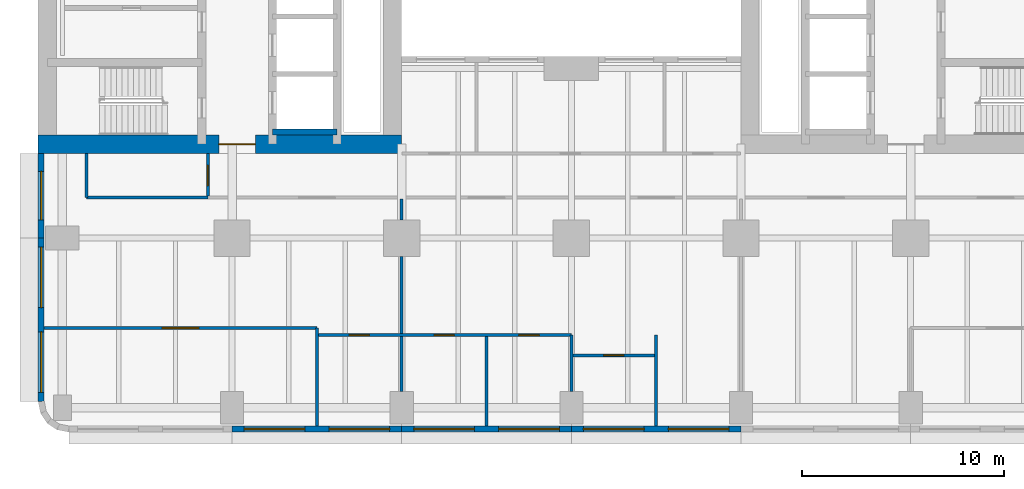
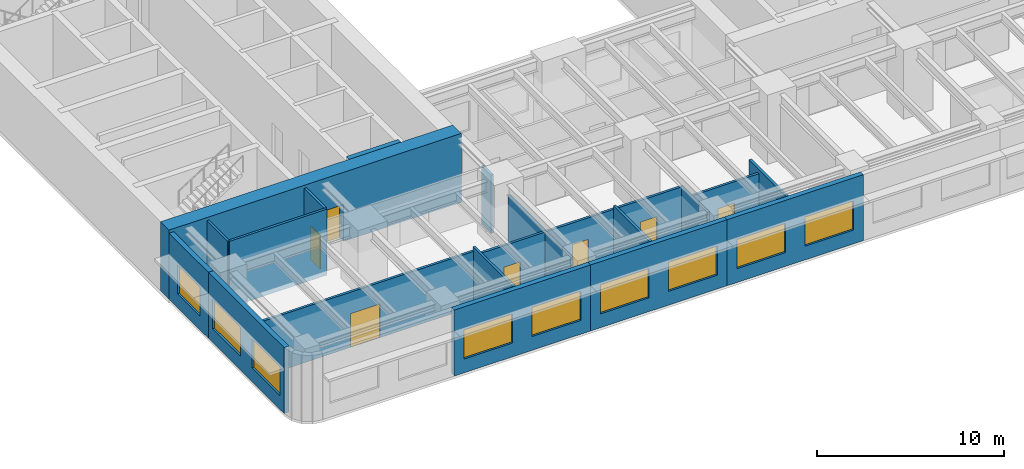
# One storey, part 3 of 13: 20 walls, 9 windows, 7 doors, 16 openings.
"""IFC4 building model written with IfcOpenShell, lengths in metres."""

from ifc_helpers import new_model, si_unit, direction, frame, frame_2d, origin, place, context, subcontext, project, spatial, rectangle, extrude, material, layer, layer_set, type_object, element, fill, save


model = new_model("IFC4")

# Units and contexts
model_context = context("Model", 3, precision=1e-05, world=origin(), true_north=direction((0.0, 1.0)))
body_context = subcontext(model_context, "Body", "Model", "MODEL_VIEW")
ifc_project = project(units=[si_unit("LENGTHUNIT", "METRE"), si_unit("AREAUNIT", "SQUARE_METRE"), si_unit("VOLUMEUNIT", "CUBIC_METRE"), si_unit("PLANEANGLEUNIT", "RADIAN"), si_unit("MASSUNIT", "GRAM", prefix="KILO")], contexts=[model_context])

# Site, building, storey
site_placement = place(None, origin())
site = spatial("IfcSite", under=ifc_project, at=site_placement, CompositionType="ELEMENT")
building_placement = place(site_placement, origin())
building = spatial("IfcBuilding", under=site, at=building_placement, Name="Claustro Exchange Tower", CompositionType="ELEMENT")
storey_placement = place(building_placement, frame((0.0, 0.0, 86.39990234375)))
storey = spatial("IfcBuildingStorey", under=building, at=storey_placement, Name="L19", CompositionType="ELEMENT", Elevation=86.39990234375)

# Wall, opening, door
ifc_material_1 = material(Name="Gypsum board on steel studs", Category="steel")
ifc_layer_1 = layer(ifc_material_1, 0.14990234375)
ifc_layer_set_1 = layer_set([ifc_layer_1], Name="Gypsum board on steel studs")
wall_type_1 = type_object("IfcWallType", Name="P1 150 plasterboard partition", PredefinedType="PARTITIONING", material=ifc_layer_set_1)
wall_1_placement = place(storey_placement, frame((-0.902099609375, 3.949951171875, 0.0), z_axis=(0.0, 0.0, 1.0), x_axis=(1.0, 0.0, 0.0)))
wall_1 = element("IfcWall", 1, at=wall_1_placement, inside=storey, type_object=wall_type_1, Name="Partition P1 L19", PredefinedType="PARTITIONING", context=body_context, shape_type="SweptSolid", body=[
    extrude(rectangle(XDim=13.502197265625, YDim=0.14990234375, at=frame_2d((6.7509765625, 0.0))), origin(), (0.0, 0.0, 1.0), 3.60009765625),
])
opening_1_placement = place(wall_1_placement, frame((5.85205078125, 0.0, 0.0)))
opening_1 = element("IfcOpeningElement", 2, at=opening_1_placement, cuts=wall_1, Name="Opening D2", PredefinedType="OPENING", context=body_context, shape_type="SweptSolid", body=[
    extrude(rectangle(XDim=1.800048828125, YDim=2.199951171875, at=frame_2d((0.89990234375, 1.10009765625))), frame((0.0, 0.0849609375, 0.0), z_axis=(0.0, -1.0, 0.0), x_axis=(1.0, 0.0, 0.0)), (0.0, 0.0, 1.0), 0.169921875),
])
ifc_material_2 = material(Name="Timber door, oak veneer", Category="wood")
door_type_1 = type_object("IfcDoorType", Name="D2 1800 x 2200 double door", OperationType="DOUBLE_DOOR_SINGLE_SWING", PredefinedType="DOOR", material=ifc_material_2)
door_1_placement = place(opening_1_placement, frame((1.800048828125, 0.0, 0.0), z_axis=(0.0, 0.0, 1.0), x_axis=(-1.0, 0.0, 0.0)))
door_1 = element("IfcDoor", 3, at=door_1_placement, inside=storey, type_object=door_type_1, Name="Double door D2 L19", OperationType="DOUBLE_DOOR_SINGLE_SWING", OverallHeight=2.199951171875, OverallWidth=1.800048828125, PredefinedType="DOOR", context=body_context, shape_type="SweptSolid", body=[
    extrude(rectangle(XDim=1.800048828125, YDim=2.199951171875, at=frame_2d((0.89990234375, 1.10009765625))), frame((0.0, 0.02490234375, 0.0), z_axis=(0.0, -1.0, 0.0), x_axis=(1.0, 0.0, 0.0)), (0.0, 0.0, 1.0), 0.050048828125),
])
fill(opening_1, door_1)

wall_2_placement = place(storey_placement, frame((25.27392578125, 2.60009765625, 0.0), z_axis=(0.0, 0.0, 1.0), x_axis=(1.0, 0.0, 0.0)))
wall_2 = element("IfcWall", 4, at=wall_2_placement, inside=storey, type_object=wall_type_1, Name="Partition P1 L19", PredefinedType="PARTITIONING", context=body_context, shape_type="SweptSolid", body=[
    extrude(rectangle(XDim=4.052001953125, YDim=0.14990234375, at=frame_2d((2.02587890625, 0.0))), origin(), (0.0, 0.0, 1.0), 3.60009765625),
])
opening_2_placement = place(wall_2_placement, frame((1.52587890625, 0.0, 0.0)))
opening_2 = element("IfcOpeningElement", 5, at=opening_2_placement, cuts=wall_2, Name="Opening D1", PredefinedType="OPENING", context=body_context, shape_type="SweptSolid", body=[
    extrude(rectangle(XDim=1.0, YDim=2.199951171875, at=frame_2d((0.5, 1.10009765625))), frame((0.0, 0.0849609375, 0.0), z_axis=(0.0, -1.0, 0.0), x_axis=(1.0, 0.0, 0.0)), (0.0, 0.0, 1.0), 0.169921875),
])
ifc_material_3 = material(Name="Timber door, oak veneer", Category="wood")
door_type_2 = type_object("IfcDoorType", Name="D1 1000 x 2200 single door", OperationType="SINGLE_SWING_LEFT", PredefinedType="DOOR", material=ifc_material_3)
door_2_placement = place(opening_2_placement, frame((1.0, 0.0, 0.0), z_axis=(0.0, 0.0, 1.0), x_axis=(-1.0, 0.0, 0.0)))
door_2 = element("IfcDoor", 6, at=door_2_placement, inside=storey, type_object=door_type_2, Name="Door D1 L19", OperationType="SINGLE_SWING_LEFT", OverallHeight=2.199951171875, OverallWidth=1.0, PredefinedType="DOOR", context=body_context, shape_type="SweptSolid", body=[
    extrude(rectangle(XDim=1.0, YDim=2.199951171875, at=frame_2d((0.5, 1.10009765625))), frame((0.0, 0.02490234375, 0.0), z_axis=(0.0, -1.0, 0.0), x_axis=(1.0, 0.0, 0.0)), (0.0, 0.0, 1.0), 0.050048828125),
])
fill(opening_2, door_2)

# Wall, openings, doors
wall_3_placement = place(storey_placement, frame((12.674072265625, 3.60009765625, 0.0), z_axis=(0.0, 0.0, 1.0), x_axis=(1.0, 0.0, 0.0)))
wall_3 = element("IfcWall", 7, at=wall_3_placement, inside=storey, type_object=wall_type_1, Name="Partition P1 L19", PredefinedType="PARTITIONING", context=body_context, shape_type="SweptSolid", body=[
    extrude(rectangle(XDim=12.52587890625, YDim=0.14990234375, at=frame_2d((6.262939453125, 0.0))), origin(), (0.0, 0.0, 1.0), 3.60009765625),
])
opening_3_placement = place(wall_3_placement, frame((1.52587890625, 0.0, 0.0)))
opening_3 = element("IfcOpeningElement", 8, at=opening_3_placement, cuts=wall_3, Name="Opening D1", PredefinedType="OPENING", context=body_context, shape_type="SweptSolid", body=[
    extrude(rectangle(XDim=1.0, YDim=2.199951171875, at=frame_2d((0.5, 1.10009765625))), frame((0.0, 0.0849609375, 0.0), z_axis=(0.0, -1.0, 0.0), x_axis=(1.0, 0.0, 0.0)), (0.0, 0.0, 1.0), 0.169921875),
])
opening_4_placement = place(wall_3_placement, frame((5.72607421875, 0.0, 0.0)))
opening_4 = element("IfcOpeningElement", 9, at=opening_4_placement, cuts=wall_3, Name="Opening D1", PredefinedType="OPENING", context=body_context, shape_type="SweptSolid", body=[
    extrude(rectangle(XDim=1.0, YDim=2.199951171875, at=frame_2d((0.5, 1.10009765625))), frame((0.0, 0.0849609375, 0.0), z_axis=(0.0, -1.0, 0.0), x_axis=(1.0, 0.0, 0.0)), (0.0, 0.0, 1.0), 0.169921875),
])
opening_5_placement = place(wall_3_placement, frame((9.926025390625, 0.0, 0.0)))
opening_5 = element("IfcOpeningElement", 10, at=opening_5_placement, cuts=wall_3, Name="Opening D1", PredefinedType="OPENING", context=body_context, shape_type="SweptSolid", body=[
    extrude(rectangle(XDim=1.0, YDim=2.199951171875, at=frame_2d((0.5, 1.10009765625))), frame((0.0, 0.0849609375, 0.0), z_axis=(0.0, -1.0, 0.0), x_axis=(1.0, 0.0, 0.0)), (0.0, 0.0, 1.0), 0.169921875),
])
door_3_placement = place(opening_3_placement, frame((1.0, 0.0, 0.0), z_axis=(0.0, 0.0, 1.0), x_axis=(-1.0, 0.0, 0.0)))
door_3 = element("IfcDoor", 11, at=door_3_placement, inside=storey, type_object=door_type_2, Name="Door D1 L19", OperationType="SINGLE_SWING_RIGHT", OverallHeight=2.199951171875, OverallWidth=1.0, PredefinedType="DOOR", context=body_context, shape_type="SweptSolid", body=[
    extrude(rectangle(XDim=1.0, YDim=2.199951171875, at=frame_2d((0.5, 1.10009765625))), frame((0.0, 0.02490234375, 0.0), z_axis=(0.0, -1.0, 0.0), x_axis=(1.0, 0.0, 0.0)), (0.0, 0.0, 1.0), 0.050048828125),
])
fill(opening_3, door_3)
door_4_placement = place(opening_4_placement, frame((1.0, 0.0, 0.0), z_axis=(0.0, 0.0, 1.0), x_axis=(-1.0, 0.0, 0.0)))
door_4 = element("IfcDoor", 12, at=door_4_placement, inside=storey, type_object=door_type_2, Name="Door D1 L19", OperationType="SINGLE_SWING_RIGHT", OverallHeight=2.199951171875, OverallWidth=1.0, PredefinedType="DOOR", context=body_context, shape_type="SweptSolid", body=[
    extrude(rectangle(XDim=1.0, YDim=2.199951171875, at=frame_2d((0.5, 1.10009765625))), frame((0.0, 0.02490234375, 0.0), z_axis=(0.0, -1.0, 0.0), x_axis=(1.0, 0.0, 0.0)), (0.0, 0.0, 1.0), 0.050048828125),
])
fill(opening_4, door_4)
door_5_placement = place(opening_5_placement, frame((1.0, 0.0, 0.0), z_axis=(0.0, 0.0, 1.0), x_axis=(-1.0, 0.0, 0.0)))
door_5 = element("IfcDoor", 13, at=door_5_placement, inside=storey, type_object=door_type_2, Name="Door D1 L19", OperationType="SINGLE_SWING_RIGHT", OverallHeight=2.199951171875, OverallWidth=1.0, PredefinedType="DOOR", context=body_context, shape_type="SweptSolid", body=[
    extrude(rectangle(XDim=1.0, YDim=2.199951171875, at=frame_2d((0.5, 1.10009765625))), frame((0.0, 0.02490234375, 0.0), z_axis=(0.0, -1.0, 0.0), x_axis=(1.0, 0.0, 0.0)), (0.0, 0.0, 1.0), 0.050048828125),
])
fill(opening_5, door_5)

# Walls
wall_4_placement = place(storey_placement, frame((12.60009765625, -0.902099609375, 0.0), z_axis=(0.0, 0.0, 1.0), x_axis=(0.0, 1.0, 0.0)))
element("IfcWall", 14, at=wall_4_placement, inside=storey, type_object=wall_type_1, Name="Partition P1 L19", PredefinedType="PARTITIONING", context=body_context, shape_type="SweptSolid", body=[
    extrude(rectangle(XDim=4.85205078125, YDim=0.14990234375, at=frame_2d((2.426025390625, 0.0))), origin(), (0.0, 0.0, 1.0), 3.85400390625),
])
wall_5_placement = place(storey_placement, frame((16.800048828125, 0.799072265625, 0.0), z_axis=(0.0, 0.0, 1.0), x_axis=(0.0, 1.0, 0.0)))
element("IfcWall", 15, at=wall_5_placement, inside=storey, type_object=wall_type_1, Name="Partition P1 L19", PredefinedType="PARTITIONING", context=body_context, shape_type="SweptSolid", body=[
    extrude(rectangle(XDim=2.726806640625, YDim=0.14990234375, at=frame_2d((1.36328125, 0.0))), origin(), (0.0, 0.0, 1.0), 3.60009765625),
])
wall_6_placement = place(storey_placement, frame((21.0, -0.902099609375, 0.0), z_axis=(0.0, 0.0, 1.0), x_axis=(0.0, 1.0, 0.0)))
element("IfcWall", 16, at=wall_6_placement, inside=storey, type_object=wall_type_1, Name="Partition P1 L19", PredefinedType="PARTITIONING", context=body_context, shape_type="SweptSolid", body=[
    extrude(rectangle(XDim=4.427978515625, YDim=0.14990234375, at=frame_2d((2.2138671875, 0.0))), origin(), (0.0, 0.0, 1.0), 3.85400390625),
])
wall_7_placement = place(storey_placement, frame((25.199951171875, 0.799072265625, 0.0), z_axis=(0.0, 0.0, 1.0), x_axis=(0.0, 1.0, 0.0)))
element("IfcWall", 17, at=wall_7_placement, inside=storey, type_object=wall_type_1, Name="Partition P1 L19", PredefinedType="PARTITIONING", context=body_context, shape_type="SweptSolid", body=[
    extrude(rectangle(XDim=2.801025390625, YDim=0.14990234375, at=frame_2d((1.400390625, 0.0))), origin(), (0.0, 0.0, 1.0), 3.60009765625),
])
wall_8_placement = place(storey_placement, frame((29.39990234375, -0.902099609375, 0.0), z_axis=(0.0, 0.0, 1.0), x_axis=(0.0, 1.0, 0.0)))
element("IfcWall", 18, at=wall_8_placement, inside=storey, type_object=wall_type_1, Name="Partition P1 L19", PredefinedType="PARTITIONING", context=body_context, shape_type="SweptSolid", body=[
    extrude(rectangle(XDim=4.502197265625, YDim=0.14990234375, at=frame_2d((2.2509765625, 0.0))), origin(), (0.0, 0.0, 1.0), 3.85400390625),
])
wall_9_placement = place(storey_placement, frame((16.800048828125, 3.674072265625, 0.0), z_axis=(0.0, 0.0, 1.0), x_axis=(0.0, 1.0, 0.0)))
element("IfcWall", 19, at=wall_9_placement, inside=storey, type_object=wall_type_1, Name="Partition P1 L19", PredefinedType="PARTITIONING", context=body_context, shape_type="SweptSolid", body=[
    extrude(rectangle(XDim=3.826904296875, YDim=0.14990234375, at=frame_2d((1.91357421875, 0.0))), origin(), (0.0, 0.0, 1.0), 3.60009765625),
])
wall_10_placement = place(storey_placement, frame((16.800048828125, 9.299072265625, 0.0), z_axis=(0.0, 0.0, 1.0), x_axis=(0.0, 1.0, 0.0)))
element("IfcWall", 20, at=wall_10_placement, inside=storey, type_object=wall_type_1, Name="Partition P1 L19", PredefinedType="PARTITIONING", context=body_context, shape_type="SweptSolid", body=[
    extrude(rectangle(XDim=1.02685546875, YDim=0.14990234375, at=frame_2d((0.513427734375, 0.0))), origin(), (0.0, 0.0, 1.0), 3.80419921875),
])

# Wall, opening, door
wall_11_placement = place(storey_placement, frame((7.199951171875, 10.47412109375, 0.0), z_axis=(0.0, 0.0, 1.0), x_axis=(0.0, 1.0, 0.0)))
wall_11 = element("IfcWall", 21, at=wall_11_placement, inside=storey, type_object=wall_type_1, Name="Partition P1 L19", PredefinedType="PARTITIONING", context=body_context, shape_type="SweptSolid", body=[
    extrude(rectangle(XDim=2.1279296875, YDim=0.14990234375, at=frame_2d((1.06396484375, 0.0))), origin(), (0.0, 0.0, 1.0), 4.300048828125),
])
opening_6_placement = place(wall_11_placement, frame((0.52587890625, 0.0, 0.0)))
opening_6 = element("IfcOpeningElement", 22, at=opening_6_placement, cuts=wall_11, Name="Opening D1", PredefinedType="OPENING", context=body_context, shape_type="SweptSolid", body=[
    extrude(rectangle(XDim=1.0, YDim=2.199951171875, at=frame_2d((0.5, 1.10009765625))), frame((0.0, 0.0849609375, 0.0), z_axis=(0.0, -1.0, 0.0), x_axis=(1.0, 0.0, 0.0)), (0.0, 0.0, 1.0), 0.169921875),
])
door_6_placement = place(opening_6_placement, origin())
door_6 = element("IfcDoor", 23, at=door_6_placement, inside=storey, type_object=door_type_2, Name="Door D1 L19", OperationType="SINGLE_SWING_RIGHT", OverallHeight=2.199951171875, OverallWidth=1.0, PredefinedType="DOOR", context=body_context, shape_type="SweptSolid", body=[
    extrude(rectangle(XDim=1.0, YDim=2.199951171875, at=frame_2d((0.5, 1.10009765625))), frame((0.0, 0.02490234375, 0.0), z_axis=(0.0, -1.0, 0.0), x_axis=(1.0, 0.0, 0.0)), (0.0, 0.0, 1.0), 0.050048828125),
])
fill(opening_6, door_6)

# Walls
wall_12_placement = place(storey_placement, frame((1.199951171875, 10.39990234375, 0.0), z_axis=(0.0, 0.0, 1.0), x_axis=(1.0, 0.0, 0.0)))
element("IfcWall", 24, at=wall_12_placement, inside=storey, type_object=wall_type_1, Name="Partition P1 L19", PredefinedType="PARTITIONING", context=body_context, shape_type="SweptSolid", body=[
    extrude(rectangle(XDim=6.001953125, YDim=0.14990234375, at=frame_2d((3.0009765625, 0.0))), origin(), (0.0, 0.0, 1.0), 4.300048828125),
])
wall_13_placement = place(storey_placement, frame((1.199951171875, 10.39990234375, 0.0), z_axis=(0.0, 0.0, 1.0), x_axis=(0.0, 1.0, 0.0)))
element("IfcWall", 25, at=wall_13_placement, inside=storey, type_object=wall_type_1, Name="Partition P1 L19", PredefinedType="PARTITIONING", context=body_context, shape_type="SweptSolid", body=[
    extrude(rectangle(XDim=2.2021484375, YDim=0.14990234375, at=frame_2d((1.10107421875, 0.0))), origin(), (0.0, 0.0, 1.0), 4.300048828125),
])

# Wall, openings, windows
ifc_material_4 = material(Name="Concrete HA-40 (C40/50), precast, white cement, acid-etched", Category="concrete")
ifc_layer_2 = layer(ifc_material_4, 0.300048828125)
ifc_layer_set_2 = layer_set([ifc_layer_2], Name="Concrete HA-40 (C40/50), precast, white cement, acid-etched")
wall_type_2 = type_object("IfcWallType", Name="PC1 300 precast concrete pier panel", PredefinedType="SOLIDWALL", material=ifc_layer_set_2)
wall_14_placement = place(storey_placement, frame((33.60009765625, -1.050048828125, 0.0), z_axis=(0.0, 0.0, 1.0), x_axis=(-1.0, 0.0, 0.0)))
wall_14 = element("IfcWall", 26, at=wall_14_placement, inside=storey, type_object=wall_type_2, Name="Precast pier panel PC1 L19", PredefinedType="SOLIDWALL", context=body_context, shape_type="SweptSolid", body=[
    extrude(rectangle(XDim=8.400146484375, YDim=0.300048828125, at=frame_2d((4.2001953125, 0.0))), origin(), (0.0, 0.0, 1.0), 4.300048828125),
])
opening_7_placement = place(wall_14_placement, frame((0.60009765625, 0.0, 0.89990234375)))
opening_7 = element("IfcOpeningElement", 27, at=opening_7_placement, cuts=wall_14, Name="Opening W1", PredefinedType="OPENING", context=body_context, shape_type="SweptSolid", body=[
    extrude(rectangle(XDim=3.0, YDim=1.89990234375, at=frame_2d((1.5, 0.949951171875))), frame((0.0, 0.159912109375, 0.0), z_axis=(0.0, -1.0, 0.0), x_axis=(1.0, 0.0, 0.0)), (0.0, 0.0, 1.0), 0.320068359375),
])
opening_8_placement = place(wall_14_placement, frame((4.800048828125, 0.0, 0.89990234375)))
opening_8 = element("IfcOpeningElement", 28, at=opening_8_placement, cuts=wall_14, Name="Opening W1", PredefinedType="OPENING", context=body_context, shape_type="SweptSolid", body=[
    extrude(rectangle(XDim=3.0, YDim=1.89990234375, at=frame_2d((1.5, 0.949951171875))), frame((0.0, 0.159912109375, 0.0), z_axis=(0.0, -1.0, 0.0), x_axis=(1.0, 0.0, 0.0)), (0.0, 0.0, 1.0), 0.320068359375),
])
ifc_material_5 = material(Name="Aluminium frame, clear double glazing", Category="aluminium")
window_type_1 = type_object("IfcWindowType", Name="W1 3000 x 1900 window", PartitioningType="SINGLE_PANEL", PredefinedType="WINDOW", material=ifc_material_5)
window_1_placement = place(opening_7_placement, origin())
window_1 = element("IfcWindow", 29, at=window_1_placement, inside=storey, type_object=window_type_1, Name="Window W1 L19", OverallHeight=1.89990234375, OverallWidth=3.0, PartitioningType="SINGLE_PANEL", PredefinedType="WINDOW", context=body_context, shape_type="SweptSolid", body=[
    extrude(rectangle(XDim=3.0, YDim=1.89990234375, at=frame_2d((1.5, 0.949951171875))), frame((0.0, 0.030029296875, 0.0), z_axis=(0.0, -1.0, 0.0), x_axis=(1.0, 0.0, 0.0)), (0.0, 0.0, 1.0), 0.06005859375),
])
fill(opening_7, window_1)
window_2_placement = place(opening_8_placement, origin())
window_2 = element("IfcWindow", 30, at=window_2_placement, inside=storey, type_object=window_type_1, Name="Window W1 L19", OverallHeight=1.89990234375, OverallWidth=3.0, PartitioningType="SINGLE_PANEL", PredefinedType="WINDOW", context=body_context, shape_type="SweptSolid", body=[
    extrude(rectangle(XDim=3.0, YDim=1.89990234375, at=frame_2d((1.5, 0.949951171875))), frame((0.0, 0.030029296875, 0.0), z_axis=(0.0, -1.0, 0.0), x_axis=(1.0, 0.0, 0.0)), (0.0, 0.0, 1.0), 0.06005859375),
])
fill(opening_8, window_2)

wall_15_placement = place(storey_placement, frame((25.199951171875, -1.050048828125, 0.0), z_axis=(0.0, 0.0, 1.0), x_axis=(-1.0, 0.0, 0.0)))
wall_15 = element("IfcWall", 31, at=wall_15_placement, inside=storey, type_object=wall_type_2, Name="Precast pier panel PC1 L19", PredefinedType="SOLIDWALL", context=body_context, shape_type="SweptSolid", body=[
    extrude(rectangle(XDim=8.39990234375, YDim=0.300048828125, at=frame_2d((4.199951171875, 0.0))), origin(), (0.0, 0.0, 1.0), 4.300048828125),
])
opening_9_placement = place(wall_15_placement, frame((0.60009765625, 0.0, 0.89990234375)))
opening_9 = element("IfcOpeningElement", 32, at=opening_9_placement, cuts=wall_15, Name="Opening W1", PredefinedType="OPENING", context=body_context, shape_type="SweptSolid", body=[
    extrude(rectangle(XDim=3.0, YDim=1.89990234375, at=frame_2d((1.5, 0.949951171875))), frame((0.0, 0.159912109375, 0.0), z_axis=(0.0, -1.0, 0.0), x_axis=(1.0, 0.0, 0.0)), (0.0, 0.0, 1.0), 0.320068359375),
])
opening_10_placement = place(wall_15_placement, frame((4.800048828125, 0.0, 0.89990234375)))
opening_10 = element("IfcOpeningElement", 33, at=opening_10_placement, cuts=wall_15, Name="Opening W1", PredefinedType="OPENING", context=body_context, shape_type="SweptSolid", body=[
    extrude(rectangle(XDim=3.0, YDim=1.89990234375, at=frame_2d((1.5, 0.949951171875))), frame((0.0, 0.159912109375, 0.0), z_axis=(0.0, -1.0, 0.0), x_axis=(1.0, 0.0, 0.0)), (0.0, 0.0, 1.0), 0.320068359375),
])
window_3_placement = place(opening_9_placement, origin())
window_3 = element("IfcWindow", 34, at=window_3_placement, inside=storey, type_object=window_type_1, Name="Window W1 L19", OverallHeight=1.89990234375, OverallWidth=3.0, PartitioningType="SINGLE_PANEL", PredefinedType="WINDOW", context=body_context, shape_type="SweptSolid", body=[
    extrude(rectangle(XDim=3.0, YDim=1.89990234375, at=frame_2d((1.5, 0.949951171875))), frame((0.0, 0.030029296875, 0.0), z_axis=(0.0, -1.0, 0.0), x_axis=(1.0, 0.0, 0.0)), (0.0, 0.0, 1.0), 0.06005859375),
])
fill(opening_9, window_3)
window_4_placement = place(opening_10_placement, origin())
window_4 = element("IfcWindow", 35, at=window_4_placement, inside=storey, type_object=window_type_1, Name="Window W1 L19", OverallHeight=1.89990234375, OverallWidth=3.0, PartitioningType="SINGLE_PANEL", PredefinedType="WINDOW", context=body_context, shape_type="SweptSolid", body=[
    extrude(rectangle(XDim=3.0, YDim=1.89990234375, at=frame_2d((1.5, 0.949951171875))), frame((0.0, 0.030029296875, 0.0), z_axis=(0.0, -1.0, 0.0), x_axis=(1.0, 0.0, 0.0)), (0.0, 0.0, 1.0), 0.06005859375),
])
fill(opening_10, window_4)

wall_16_placement = place(storey_placement, frame((16.800048828125, -1.050048828125, 0.0), z_axis=(0.0, 0.0, 1.0), x_axis=(-1.0, 0.0, 0.0)))
wall_16 = element("IfcWall", 36, at=wall_16_placement, inside=storey, type_object=wall_type_2, Name="Precast pier panel PC1 L19", PredefinedType="SOLIDWALL", context=body_context, shape_type="SweptSolid", body=[
    extrude(rectangle(XDim=8.400146484375, YDim=0.300048828125, at=frame_2d((4.2001953125, 0.0))), origin(), (0.0, 0.0, 1.0), 4.300048828125),
])
opening_11_placement = place(wall_16_placement, frame((0.60009765625, 0.0, 0.89990234375)))
opening_11 = element("IfcOpeningElement", 37, at=opening_11_placement, cuts=wall_16, Name="Opening W1", PredefinedType="OPENING", context=body_context, shape_type="SweptSolid", body=[
    extrude(rectangle(XDim=3.0, YDim=1.89990234375, at=frame_2d((1.5, 0.949951171875))), frame((0.0, 0.159912109375, 0.0), z_axis=(0.0, -1.0, 0.0), x_axis=(1.0, 0.0, 0.0)), (0.0, 0.0, 1.0), 0.320068359375),
])
opening_12_placement = place(wall_16_placement, frame((4.800048828125, 0.0, 0.89990234375)))
opening_12 = element("IfcOpeningElement", 38, at=opening_12_placement, cuts=wall_16, Name="Opening W1", PredefinedType="OPENING", context=body_context, shape_type="SweptSolid", body=[
    extrude(rectangle(XDim=3.0, YDim=1.89990234375, at=frame_2d((1.5, 0.949951171875))), frame((0.0, 0.159912109375, 0.0), z_axis=(0.0, -1.0, 0.0), x_axis=(1.0, 0.0, 0.0)), (0.0, 0.0, 1.0), 0.320068359375),
])
window_5_placement = place(opening_11_placement, origin())
window_5 = element("IfcWindow", 39, at=window_5_placement, inside=storey, type_object=window_type_1, Name="Window W1 L19", OverallHeight=1.89990234375, OverallWidth=3.0, PartitioningType="SINGLE_PANEL", PredefinedType="WINDOW", context=body_context, shape_type="SweptSolid", body=[
    extrude(rectangle(XDim=3.0, YDim=1.89990234375, at=frame_2d((1.5, 0.949951171875))), frame((0.0, 0.030029296875, 0.0), z_axis=(0.0, -1.0, 0.0), x_axis=(1.0, 0.0, 0.0)), (0.0, 0.0, 1.0), 0.06005859375),
])
fill(opening_11, window_5)
window_6_placement = place(opening_12_placement, origin())
window_6 = element("IfcWindow", 40, at=window_6_placement, inside=storey, type_object=window_type_1, Name="Window W1 L19", OverallHeight=1.89990234375, OverallWidth=3.0, PartitioningType="SINGLE_PANEL", PredefinedType="WINDOW", context=body_context, shape_type="SweptSolid", body=[
    extrude(rectangle(XDim=3.0, YDim=1.89990234375, at=frame_2d((1.5, 0.949951171875))), frame((0.0, 0.030029296875, 0.0), z_axis=(0.0, -1.0, 0.0), x_axis=(1.0, 0.0, 0.0)), (0.0, 0.0, 1.0), 0.06005859375),
])
fill(opening_12, window_6)

wall_17_placement = place(storey_placement, frame((-1.050048828125, 0.314697265625, 0.0), z_axis=(0.0, 0.0, 1.0), x_axis=(0.0, 1.0, 0.0)))
wall_17 = element("IfcWall", 41, at=wall_17_placement, inside=storey, type_object=wall_type_2, Name="Precast pier panel PC1 L19", PredefinedType="SOLIDWALL", context=body_context, shape_type="SweptSolid", body=[
    extrude(rectangle(XDim=8.085205078125, YDim=0.300048828125, at=frame_2d((4.04248046875, 0.0))), origin(), (0.0, 0.0, 1.0), 4.300048828125),
])
opening_13_placement = place(wall_17_placement, frame((0.442626953125, 0.0, 0.89990234375)))
opening_13 = element("IfcOpeningElement", 42, at=opening_13_placement, cuts=wall_17, Name="Opening W1", PredefinedType="OPENING", context=body_context, shape_type="SweptSolid", body=[
    extrude(rectangle(XDim=3.0, YDim=1.89990234375, at=frame_2d((1.5, 0.949951171875))), frame((0.0, 0.159912109375, 0.0), z_axis=(0.0, -1.0, 0.0), x_axis=(1.0, 0.0, 0.0)), (0.0, 0.0, 1.0), 0.320068359375),
])
opening_14_placement = place(wall_17_placement, frame((4.642578125, 0.0, 0.89990234375)))
opening_14 = element("IfcOpeningElement", 43, at=opening_14_placement, cuts=wall_17, Name="Opening W1", PredefinedType="OPENING", context=body_context, shape_type="SweptSolid", body=[
    extrude(rectangle(XDim=3.0, YDim=1.89990234375, at=frame_2d((1.5, 0.949951171875))), frame((0.0, 0.159912109375, 0.0), z_axis=(0.0, -1.0, 0.0), x_axis=(1.0, 0.0, 0.0)), (0.0, 0.0, 1.0), 0.320068359375),
])
window_7_placement = place(opening_13_placement, origin())
window_7 = element("IfcWindow", 44, at=window_7_placement, inside=storey, type_object=window_type_1, Name="Window W1 L19", OverallHeight=1.89990234375, OverallWidth=3.0, PartitioningType="SINGLE_PANEL", PredefinedType="WINDOW", context=body_context, shape_type="SweptSolid", body=[
    extrude(rectangle(XDim=3.0, YDim=1.89990234375, at=frame_2d((1.5, 0.949951171875))), frame((0.0, 0.030029296875, 0.0), z_axis=(0.0, -1.0, 0.0), x_axis=(1.0, 0.0, 0.0)), (0.0, 0.0, 1.0), 0.06005859375),
])
fill(opening_13, window_7)
window_8_placement = place(opening_14_placement, origin())
window_8 = element("IfcWindow", 45, at=window_8_placement, inside=storey, type_object=window_type_1, Name="Window W1 L19", OverallHeight=1.89990234375, OverallWidth=3.0, PartitioningType="SINGLE_PANEL", PredefinedType="WINDOW", context=body_context, shape_type="SweptSolid", body=[
    extrude(rectangle(XDim=3.0, YDim=1.89990234375, at=frame_2d((1.5, 0.949951171875))), frame((0.0, 0.030029296875, 0.0), z_axis=(0.0, -1.0, 0.0), x_axis=(1.0, 0.0, 0.0)), (0.0, 0.0, 1.0), 0.06005859375),
])
fill(opening_14, window_8)

# Wall, opening, window
wall_18_placement = place(storey_placement, frame((-1.050048828125, 8.39990234375, 0.0), z_axis=(0.0, 0.0, 1.0), x_axis=(0.0, 1.0, 0.0)))
wall_18 = element("IfcWall", 46, at=wall_18_placement, inside=storey, type_object=wall_type_2, Name="Precast pier panel PC1 L19", PredefinedType="SOLIDWALL", context=body_context, shape_type="SweptSolid", body=[
    extrude(rectangle(XDim=4.2001953125, YDim=0.300048828125, at=frame_2d((2.10009765625, 0.0))), origin(), (0.0, 0.0, 1.0), 4.300048828125),
])
opening_15_placement = place(wall_18_placement, frame((0.89990234375, 0.0, 0.89990234375)))
opening_15 = element("IfcOpeningElement", 47, at=opening_15_placement, cuts=wall_18, Name="Opening W2", PredefinedType="OPENING", context=body_context, shape_type="SweptSolid", body=[
    extrude(rectangle(XDim=2.39990234375, YDim=1.89990234375, at=frame_2d((1.199951171875, 0.949951171875))), frame((0.0, 0.159912109375, 0.0), z_axis=(0.0, -1.0, 0.0), x_axis=(1.0, 0.0, 0.0)), (0.0, 0.0, 1.0), 0.320068359375),
])
ifc_material_6 = material(Name="Aluminium frame, clear double glazing", Category="aluminium")
window_type_2 = type_object("IfcWindowType", Name="W2 2400 x 1900 window", PartitioningType="SINGLE_PANEL", PredefinedType="WINDOW", material=ifc_material_6)
window_9_placement = place(opening_15_placement, origin())
window_9 = element("IfcWindow", 48, at=window_9_placement, inside=storey, type_object=window_type_2, Name="Window W2 L19", OverallHeight=1.89990234375, OverallWidth=2.39990234375, PartitioningType="SINGLE_PANEL", PredefinedType="WINDOW", context=body_context, shape_type="SweptSolid", body=[
    extrude(rectangle(XDim=2.39990234375, YDim=1.89990234375, at=frame_2d((1.199951171875, 0.949951171875))), frame((0.0, 0.030029296875, 0.0), z_axis=(0.0, -1.0, 0.0), x_axis=(1.0, 0.0, 0.0)), (0.0, 0.0, 1.0), 0.06005859375),
])
fill(opening_15, window_9)

# Wall, opening, door
ifc_material_7 = material(Name="Concrete HA-70 (C70/85)", Category="concrete")
ifc_layer_3 = layer(ifc_material_7, 0.89990234375)
ifc_layer_set_3 = layer_set([ifc_layer_3], Name="Concrete HA-70 (C70/85)")
wall_type_3 = type_object("IfcWallType", Name="SW1 900 core shear wall", PredefinedType="SHEAR", material=ifc_layer_set_3)
wall_19_placement = place(storey_placement, frame((-1.199951171875, 13.050048828125, 0.0), z_axis=(0.0, 0.0, 1.0), x_axis=(1.0, 0.0, 0.0)))
wall_19 = element("IfcWall", 49, at=wall_19_placement, inside=storey, type_object=wall_type_3, Name="Core wall SW1 W core S face L19", PredefinedType="SHEAR", context=body_context, shape_type="SweptSolid", body=[
    extrude(rectangle(XDim=18.0, YDim=0.89990234375, at=frame_2d((9.0, 0.0))), origin(), (0.0, 0.0, 1.0), 4.5),
])
opening_16_placement = place(wall_19_placement, frame((8.949951171875, 0.0, 0.0)))
opening_16 = element("IfcOpeningElement", 50, at=opening_16_placement, cuts=wall_19, Name="Opening D3", PredefinedType="OPENING", context=body_context, shape_type="SweptSolid", body=[
    extrude(rectangle(XDim=1.800048828125, YDim=2.39990234375, at=frame_2d((0.89990234375, 1.199951171875))), frame((0.0, 0.4599609375, 0.0), z_axis=(0.0, -1.0, 0.0), x_axis=(1.0, 0.0, 0.0)), (0.0, 0.0, 1.0), 0.919921875),
])
ifc_material_8 = material(Name="Steel fire door, painted", Category="steel")
door_type_3 = type_object("IfcDoorType", Name="D3 1800 x 2400 fire-rated lobby double door", OperationType="DOUBLE_DOOR_SINGLE_SWING", PredefinedType="DOOR", material=ifc_material_8)
door_7_placement = place(opening_16_placement, origin())
door_7 = element("IfcDoor", 51, at=door_7_placement, inside=storey, type_object=door_type_3, Name="Lift lobby door D3 L19", OperationType="DOUBLE_DOOR_SINGLE_SWING", OverallHeight=2.39990234375, OverallWidth=1.800048828125, PredefinedType="DOOR", context=body_context, shape_type="SweptSolid", body=[
    extrude(rectangle(XDim=1.800048828125, YDim=2.39990234375, at=frame_2d((0.89990234375, 1.199951171875))), frame((0.0, 0.02490234375, 0.0), z_axis=(0.0, -1.0, 0.0), x_axis=(1.0, 0.0, 0.0)), (0.0, 0.0, 1.0), 0.050048828125),
])
fill(opening_16, door_7)

# Wall
ifc_material_9 = material(Name="Concrete HA-50 (C50/60)", Category="concrete")
ifc_layer_4 = layer(ifc_material_9, 0.300048828125)
ifc_layer_set_4 = layer_set([ifc_layer_4], Name="Concrete HA-50 (C50/60)")
wall_type_4 = type_object("IfcWallType", Name="SW6A 300 lift shaft end wall", PredefinedType="SHEAR", material=ifc_layer_set_4)
wall_20_placement = place(storey_placement, frame((10.39990234375, 13.64990234375, 0.0), z_axis=(0.0, 0.0, 1.0), x_axis=(1.0, 0.0, 0.0)))
element("IfcWall", 52, at=wall_20_placement, inside=storey, type_object=wall_type_4, Name="Lift shaft wall W core L19", PredefinedType="SHEAR", context=body_context, shape_type="SweptSolid", body=[
    extrude(rectangle(XDim=3.2001953125, YDim=0.300048828125, at=frame_2d((1.60009765625, 0.0))), origin(), (0.0, 0.0, 1.0), 4.5),
])

save(model, "model.ifc")
